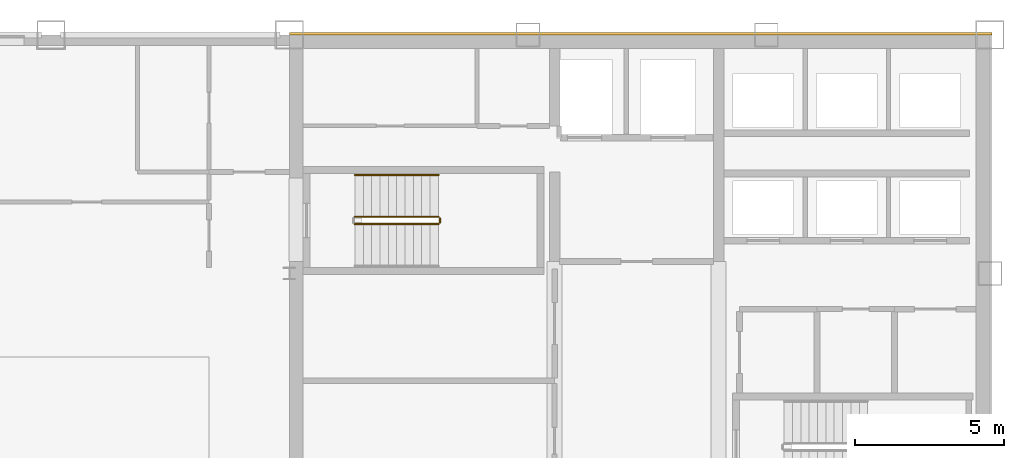
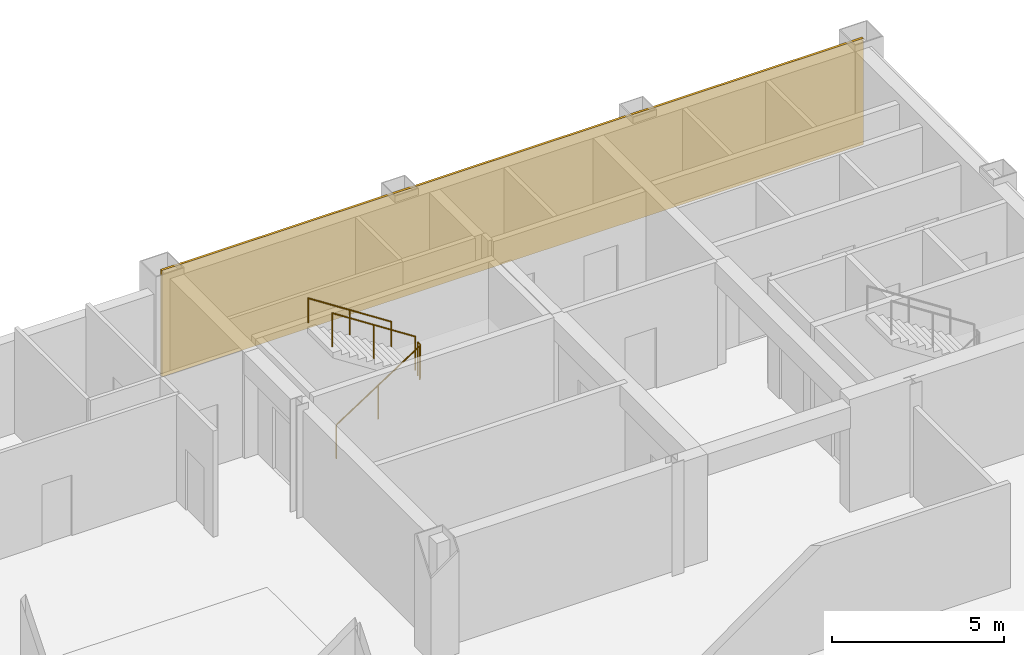
# One storey, part 10 of 10: 4 railings, 1 covering.
"""IFC4 building model written with IfcOpenShell, lengths in metres."""

from ifc_helpers import new_model, si_unit, direction, frame, origin, origin_2d, place, context, subcontext, project, spatial, rectangle, circle, extrude, material, layer, layer_set, type_object, element, save


model = new_model("IFC4")

# Units and contexts
model_context = context("Model", 3, precision=1e-05, world=origin(), true_north=direction((0.0, 1.0)))
body_context = subcontext(model_context, "Body", "Model", "MODEL_VIEW")
ifc_project = project(units=[si_unit("LENGTHUNIT", "METRE"), si_unit("AREAUNIT", "SQUARE_METRE"), si_unit("VOLUMEUNIT", "CUBIC_METRE"), si_unit("PLANEANGLEUNIT", "RADIAN"), si_unit("MASSUNIT", "GRAM", prefix="KILO")], contexts=[model_context])

# Site, building, storey
site_placement = place(None, origin())
site = spatial("IfcSite", under=ifc_project, at=site_placement, CompositionType="ELEMENT")
building_placement = place(site_placement, origin())
building = spatial("IfcBuilding", under=site, at=building_placement, Name="Qianrong Seaharbour Tower", CompositionType="ELEMENT")
storey_placement = place(building_placement, frame((0.0, 0.0, 225.800048828125)))
storey = spatial("IfcBuildingStorey", under=building, at=storey_placement, Name="L54", CompositionType="ELEMENT", Elevation=225.800048828125)

# Covering
ifc_material_1 = material(Name="Unitised red brick cladding on Precast concrete C45/55", Category="masonry")
ifc_layer = layer(ifc_material_1, 0.080078125)
ifc_layer_set = layer_set([ifc_layer], Name="Unitised red brick cladding on Precast concrete C45/55")
covering_type = type_object("IfcCoveringType", Name="COV-CLAD-RED-BRICK-80", PredefinedType="CLADDING", material=ifc_layer_set)
covering_placement = place(storey_placement, frame((52.2900390625, 52.0400390625, 0.0), z_axis=(0.0, 0.0, 1.0), x_axis=(1.0, 0.0, 0.0)))
element("IfcCovering", 1, at=covering_placement, inside=storey, type_object=covering_type, Name="L54 North Core Brick Veneer Cladding", PredefinedType="CLADDING", context=body_context, shape_type="SweptSolid", body=[
    extrude(rectangle(XDim=23.580078125, YDim=0.080078125, at=origin_2d()), origin(), (0.0, 0.0, 1.0), 3.77490234375),
])

# Railings
ifc_material_2 = material(Name="Galvanized painted steel SN400B stair guard", Category="steel")
railing_type_1 = type_object("IfcRailingType", Name="RAIL-STAIR-GUARD-1220", PredefinedType="GUARDRAIL", material=ifc_material_2)
railing_1_placement = place(storey_placement, frame((42.699951171875, 45.64990234375, 0.181884765625)))
element("IfcRailing", 2, at=railing_1_placement, inside=storey, type_object=railing_type_1, Name="L54 ST-1 stair guard 1", PredefinedType="GUARDRAIL", context=body_context, shape_type="SweptSolid", body=[
    extrude(circle(Radius=0.02392578125, at=origin_2d()), frame((0.0, 0.0, 1.19580078125), z_axis=(0.838705829183, 0.0, 0.544584733623), x_axis=(0.0, 1.0, 0.0)), (0.0, 0.0, 1.0), 3.338623046875),
    extrude(circle(Radius=0.02099609375, at=origin_2d()), origin(), (0.0, 0.0, 1.0), 1.171875),
    extrude(circle(Radius=0.02099609375, at=origin_2d()), frame((1.39990234375, 0.0, 0.9091796875)), (0.0, 0.0, 1.0), 1.171875),
    extrude(circle(Radius=0.02099609375, at=origin_2d()), frame((2.800048828125, 0.0, 1.818115234375)), (0.0, 0.0, 1.0), 1.171875),
])
railing_2_placement = place(storey_placement, frame((45.550048828125, 45.699951171875, 2.0)))
element("IfcRailing", 3, at=railing_2_placement, inside=storey, type_object=railing_type_1, Name="L54 ST-1 stair guard 2", PredefinedType="GUARDRAIL", context=body_context, shape_type="SweptSolid", body=[
    extrude(circle(Radius=0.02392578125, at=origin_2d()), frame((0.0, 0.0, 1.19580078125), z_axis=(0.0, 1.0, 0.0), x_axis=(-1.0, 0.0, 0.0)), (0.0, 0.0, 1.0), 0.150146484375),
    extrude(circle(Radius=0.02099609375, at=origin_2d()), origin(), (0.0, 0.0, 1.0), 1.171875),
    extrude(circle(Radius=0.02099609375, at=origin_2d()), frame((0.0, 0.150146484375, 0.0)), (0.0, 0.0, 1.0), 1.171875),
])
railing_3_placement = place(storey_placement, frame((45.5, 45.89990234375, 2.181884765625)))
element("IfcRailing", 4, at=railing_3_placement, inside=storey, type_object=railing_type_1, Name="L54 ST-1 stair guard 3", PredefinedType="GUARDRAIL", context=body_context, shape_type="SweptSolid", body=[
    extrude(circle(Radius=0.02392578125, at=origin_2d()), frame((0.0, 0.0, 1.19580078125), z_axis=(-0.838705829183, 0.0, 0.544584733623), x_axis=(0.0, -1.0, 0.0)), (0.0, 0.0, 1.0), 3.338623046875),
    extrude(circle(Radius=0.02099609375, at=origin_2d()), origin(), (0.0, 0.0, 1.0), 1.171875),
    extrude(circle(Radius=0.02099609375, at=origin_2d()), frame((-1.39990234375, 0.0, 0.9091796875)), (0.0, 0.0, 1.0), 1.171875),
    extrude(circle(Radius=0.02099609375, at=origin_2d()), frame((-2.800048828125, 0.0, 1.818115234375)), (0.0, 0.0, 1.0), 1.171875),
])
ifc_material_3 = material(Name="Stainless steel SUS316L continuous handrail", Category="steel")
railing_type_2 = type_object("IfcRailingType", Name="RAIL-STAIR-HANDRAIL-900", PredefinedType="HANDRAIL", material=ifc_material_3)
railing_4_placement = place(storey_placement, frame((45.5, 47.300048828125, 2.181884765625)))
element("IfcRailing", 5, at=railing_4_placement, inside=storey, type_object=railing_type_2, Name="L54 ST-1 stair handrail 2", PredefinedType="HANDRAIL", context=body_context, shape_type="SweptSolid", body=[
    extrude(circle(Radius=0.02392578125, at=origin_2d()), frame((0.0, 0.0, 0.8759765625), z_axis=(-0.838705829183, 0.0, 0.544584733623), x_axis=(0.0, -1.0, 0.0)), (0.0, 0.0, 1.0), 3.338623046875),
    extrude(circle(Radius=0.02099609375, at=origin_2d()), origin(), (0.0, 0.0, 1.0), 0.851806640625),
    extrude(circle(Radius=0.02099609375, at=origin_2d()), frame((-1.39990234375, 0.0, 0.9091796875)), (0.0, 0.0, 1.0), 0.851806640625),
    extrude(circle(Radius=0.02099609375, at=origin_2d()), frame((-2.800048828125, 0.0, 1.818115234375)), (0.0, 0.0, 1.0), 0.851806640625),
])

save(model, "model.ifc")
